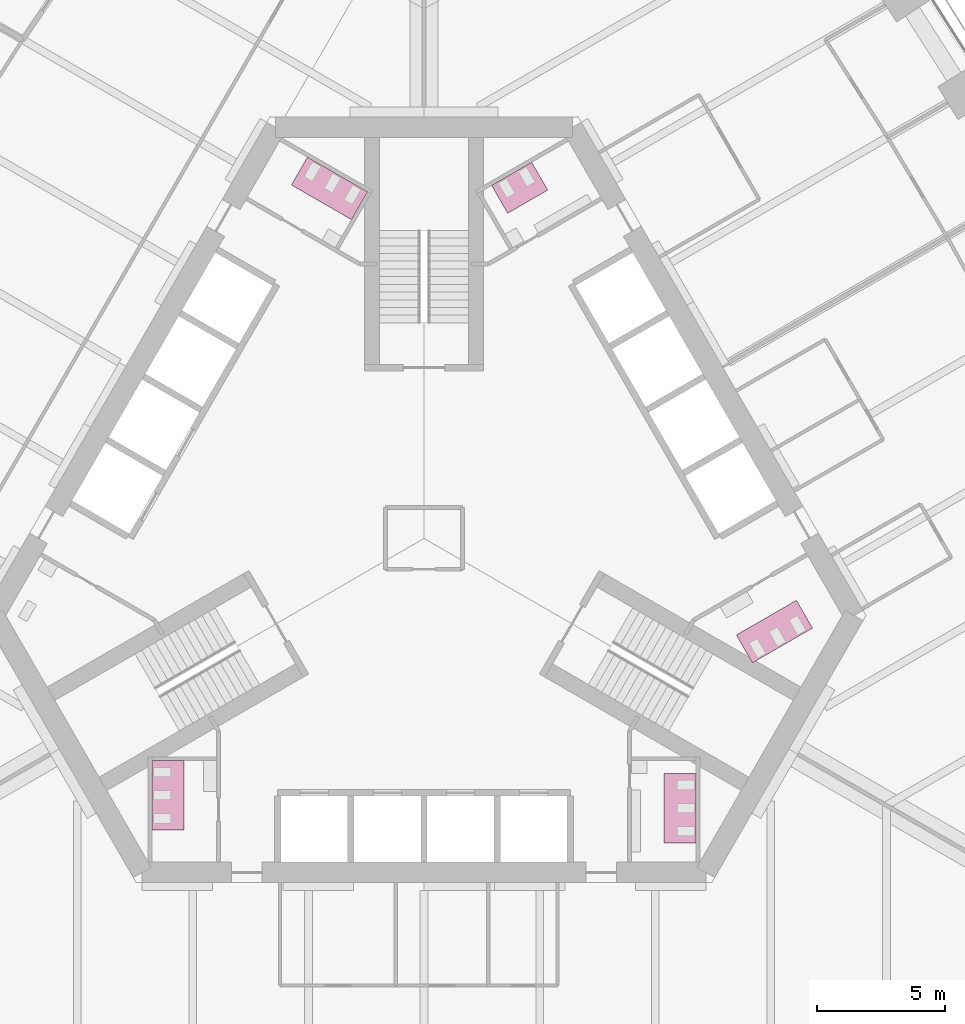
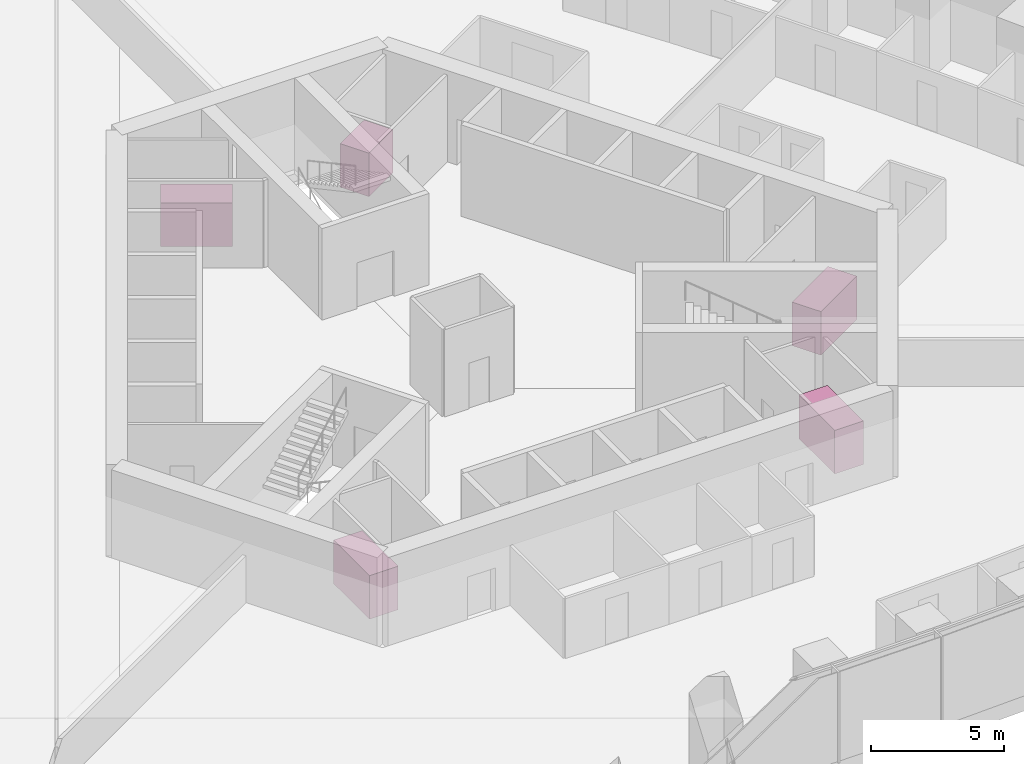
# One storey, part 18 of 18: 5 furniture elements.
"""IFC4 building model written with IfcOpenShell, lengths in metres."""

import ifcopenshell
import ifcopenshell.guid

model = None  # the IFC model being written
_history = None  # IfcOwnerHistory: only IFC2X3 demands one
_inside = {}  # id of a spatial element -> (the spatial element, [elements in it])
_under = {}  # id of a project, library or spatial element -> (it, [spatial elements below it])
_declared = {}  # id of a project -> (the project, [libraries it declares])
_typed = {}  # id of a type object -> (the type object, [elements of that type])
_made_of = {}  # id of a material, layer set ... -> (it, [elements and type objects made of it])


def new_model(schema):
    """Start an empty IFC model of exactly this schema.

    Asked for "IFC4X3", IfcOpenShell would pick the latest addendum, in which some entities
    have other attributes; the version numbers below select the first issue.
    IFC2X3 requires an IfcOwnerHistory on every rooted entity: one is made here for all.
    """
    global model, _history
    if schema == "IFC4X3":
        model = ifcopenshell.file(schema_version=(4, 3, 0, 0))
    else:
        model = ifcopenshell.file(schema=schema)
    _inside.clear()
    _under.clear()
    _declared.clear()
    _typed.clear()
    _made_of.clear()
    _history = None
    if model.schema == "IFC2X3":
        org = make("IfcOrganization", Name="unknown")
        user = make(
            "IfcPersonAndOrganization",
            ThePerson=make("IfcPerson", FamilyName="unknown"),
            TheOrganization=org,
        )
        app = make(
            "IfcApplication",
            ApplicationDeveloper=org,
            Version="unknown",
            ApplicationFullName="unknown",
            ApplicationIdentifier="unknown",
        )
        _history = make(
            "IfcOwnerHistory",
            OwningUser=user,
            OwningApplication=app,
            ChangeAction="ADDED",
            CreationDate=0,
        )
    return model


def make(cls, **values):
    """One entity of the class cls with the attributes given. An attribute that is None is left unset."""
    return model.create_entity(
        cls, **{name: value for name, value in values.items() if value is not None}
    )


def rooted(cls, **values):
    """An entity with a GlobalId (a new one), such as an element, a storey or a relation."""
    return make(cls, GlobalId=ifcopenshell.guid.new(), OwnerHistory=_history, **values)


def si_unit(unit_type, name, prefix=None):
    """IfcSIUnit, for example si_unit("LENGTHUNIT", "METRE", prefix="MILLI")."""
    return make("IfcSIUnit", UnitType=unit_type, Prefix=prefix, Name=name)


def assignment(units):
    """IfcUnitAssignment: the units of a project."""
    return None if units is None else make("IfcUnitAssignment", Units=units)


def point(xyz):
    """IfcCartesianPoint."""
    return None if xyz is None else make("IfcCartesianPoint", Coordinates=xyz)


def direction(xyz):
    """IfcDirection."""
    return None if xyz is None else make("IfcDirection", DirectionRatios=xyz)


def frame(location, z_axis=None, x_axis=None):
    """IfcAxis2Placement3D, a coordinate frame: its origin and axes. An axis left out is left unset."""
    return make(
        "IfcAxis2Placement3D",
        Location=point(location),
        Axis=direction(z_axis),
        RefDirection=direction(x_axis),
    )


def origin():
    """The frame at (0, 0, 0) with its axes left unset."""
    return frame((0.0, 0.0, 0.0))


def place(relative_to, where):
    """IfcLocalPlacement: puts the frame where relative to a parent placement (None: the world)."""
    return make(
        "IfcLocalPlacement", PlacementRelTo=relative_to, RelativePlacement=where
    )


def context(
    kind, dimensions, precision=None, world=None, true_north=None, identifier=None
):
    """IfcGeometricRepresentationContext, for example the 3D "Model" context."""
    return make(
        "IfcGeometricRepresentationContext",
        ContextIdentifier=identifier,
        ContextType=kind,
        CoordinateSpaceDimension=dimensions,
        Precision=precision,
        WorldCoordinateSystem=world,
        TrueNorth=true_north,
    )


def subcontext(parent, identifier, kind, view, scale=None):
    """IfcGeometricRepresentationSubContext, for example "Body" below "Model"."""
    return make(
        "IfcGeometricRepresentationSubContext",
        ContextIdentifier=identifier,
        ContextType=kind,
        ParentContext=parent,
        TargetScale=scale,
        TargetView=view,
    )


def project(units=None, contexts=None):
    """IfcProject with its units and contexts."""
    return rooted(
        "IfcProject",
        Name="project",
        RepresentationContexts=contexts,
        UnitsInContext=assignment(units),
    )


def spatial(cls, under=None, at=None, **own):
    """A site, building, storey or space (cls), placed at a placement, below another one or the project."""
    s = rooted(cls, ObjectPlacement=at, **own)
    if under is not None:
        _under.setdefault(under.id(), (under, []))[1].append(s)
    return s


def polyline(points):
    """IfcPolyline through the points."""
    return make("IfcPolyline", Points=[point(p) for p in points])


def outline(outer, holes=None, kind="AREA"):
    """IfcArbitraryClosedProfileDef: a profile drawn as a closed curve; with holes, ...WithVoids."""
    if holes is None:
        return make("IfcArbitraryClosedProfileDef", ProfileType=kind, OuterCurve=outer)
    return make(
        "IfcArbitraryProfileDefWithVoids",
        ProfileType=kind,
        OuterCurve=outer,
        InnerCurves=holes,
    )


def extrude(swept, where, along, depth):
    """IfcExtrudedAreaSolid: the profile swept, set in the frame where, extruded along a direction by depth."""
    return make(
        "IfcExtrudedAreaSolid",
        SweptArea=swept,
        Position=where,
        ExtrudedDirection=direction(along),
        Depth=depth,
    )


def shape(context_of_items, identifier, shape_type, items):
    """IfcShapeRepresentation: the items that make up one representation, for example the "Body"."""
    return make(
        "IfcShapeRepresentation",
        ContextOfItems=context_of_items,
        RepresentationIdentifier=identifier,
        RepresentationType=shape_type,
        Items=items,
    )


def material(Name=None, Category=None):
    """IfcMaterial."""
    return make("IfcMaterial", Name=Name, Category=Category)


def made_of(thing, what):
    """Note that an element or type object is made of a material, layer set ...; save() writes the relation."""
    if what is not None:
        _made_of.setdefault(what.id(), (what, []))[1].append(thing)
    return thing


def type_object(cls, material=None, **own):
    """A type object (cls), such as IfcWallType, which elements share."""
    return made_of(rooted(cls, **own), material)


def element(
    cls,
    number,
    at=None,
    inside=None,
    cuts=None,
    type_object=None,
    material=None,
    context=None,
    identifier="Body",
    shape_type=None,
    held_by="IfcProductDefinitionShape",
    body=None,
    shapes=None,
    **own,
):
    """One element of the class cls, such as IfcWall. Its Tag is "e" and its number.

    at: its placement. inside: the storey or other place that contains it. cuts: it is an
    opening in that element (IfcRelVoidsElement). A single representation is given by context,
    identifier, shape_type and body (its items); several are given by shapes. held_by: the class
    of the entity that holds the representations. save() writes the other relations.
    """
    e = rooted(cls, Tag="e%d" % number, ObjectPlacement=at, **own)
    if body is not None:
        shapes = [shape(context, identifier, shape_type, body)]
    if shapes is not None:
        e.Representation = make(held_by, Representations=shapes)
    if inside is not None:
        _inside.setdefault(inside.id(), (inside, []))[1].append(e)
    if cuts is not None:
        rooted(
            "IfcRelVoidsElement", RelatingBuildingElement=cuts, RelatedOpeningElement=e
        )
    if type_object is not None:
        _typed.setdefault(type_object.id(), (type_object, []))[1].append(e)
    return made_of(e, material)


def aggregate(whole, parts):
    """IfcRelAggregates: a whole, such as a stair, and the parts it consists of."""
    return rooted("IfcRelAggregates", RelatingObject=whole, RelatedObjects=parts)


def save(model, path):
    """Write the relations noted so far, then the file.

    IfcRelAggregates (storeys below a building ...), IfcRelContainedInSpatialStructure (elements
    in a storey), IfcRelDefinesByType, IfcRelAssociatesMaterial and IfcRelDeclares: one each for
    every whole, place, type object, material and project.
    """
    for whole, parts in _under.values():
        aggregate(whole, parts)
    for where, things in _inside.values():
        rooted(
            "IfcRelContainedInSpatialStructure",
            RelatedElements=things,
            RelatingStructure=where,
        )
    for kind, things in _typed.values():
        rooted("IfcRelDefinesByType", RelatedObjects=things, RelatingType=kind)
    for what, things in _made_of.values():
        rooted("IfcRelAssociatesMaterial", RelatedObjects=things, RelatingMaterial=what)
    for by, libraries in _declared.values():
        rooted("IfcRelDeclares", RelatingContext=by, RelatedDefinitions=libraries)
    model.write(path)


model = new_model("IFC4")

# Units and contexts
model_context = context("Model", 3, precision=1e-05, world=origin(), true_north=direction((0.0, 1.0)))
body_context = subcontext(model_context, "Body", "Model", "MODEL_VIEW")
ifc_project = project(units=[si_unit("LENGTHUNIT", "METRE"), si_unit("AREAUNIT", "SQUARE_METRE"), si_unit("VOLUMEUNIT", "CUBIC_METRE"), si_unit("PLANEANGLEUNIT", "RADIAN"), si_unit("MASSUNIT", "GRAM", prefix="KILO")], contexts=[model_context])

# Site, building, storey
site_placement = place(None, origin())
site = spatial("IfcSite", under=ifc_project, at=site_placement, CompositionType="ELEMENT")
building_placement = place(site_placement, origin())
building = spatial("IfcBuilding", under=site, at=building_placement, Name="Trefoil Bronze Tower", CompositionType="ELEMENT")
storey_placement = place(building_placement, frame((0.0, 0.0, 50.10009765625)))
storey = spatial("IfcBuildingStorey", under=building, at=storey_placement, Name="L11", CompositionType="ELEMENT", Elevation=50.10009765625)

# Furniture
ifc_material_1 = material(Name="Compact laminate cubicles", Category="plastic")
furniture_type_1 = type_object("IfcFurnitureType", Name="WC cubicle range 2 cubicles", AssemblyPlace="FACTORY", PredefinedType="USERDEFINED", material=ifc_material_1)
furniture_1_placement = place(storey_placement, origin())
element("IfcFurniture", 1, at=furniture_1_placement, inside=storey, type_object=furniture_type_1, Name="WC cubicle range WC (men) L11", ObjectType="WC cubicle range", PredefinedType="USERDEFINED", context=body_context, shape_type="SweptSolid", body=[
    extrude(outline(polyline([(3.256591796875, 12.659423828125), (2.631591796875, 13.741943359375), (4.1904296875, 14.641845703125), (4.8154296875, 13.559326171875), (3.256591796875, 12.659423828125)])), origin(), (0.0, 0.0, 1.0), 2.0),
])
ifc_material_2 = material(Name="Compact laminate cubicles", Category="plastic")
furniture_type_2 = type_object("IfcFurnitureType", Name="WC cubicle range 3 cubicles", AssemblyPlace="FACTORY", PredefinedType="USERDEFINED", material=ifc_material_2)
furniture_2_placement = place(storey_placement, origin())
element("IfcFurniture", 2, at=furniture_2_placement, inside=storey, type_object=furniture_type_2, Name="WC cubicle range WC (men) L11", ObjectType="WC cubicle range", PredefinedType="USERDEFINED", context=body_context, shape_type="SweptSolid", body=[
    extrude(outline(polyline([(9.3349609375, -9.14990234375), (10.5849609375, -9.14990234375), (10.5849609375, -11.85009765625), (9.3349609375, -11.85009765625), (9.3349609375, -9.14990234375)])), origin(), (0.0, 0.0, 1.0), 2.0),
])
furniture_3_placement = place(storey_placement, origin())
element("IfcFurniture", 3, at=furniture_3_placement, inside=storey, type_object=furniture_type_2, Name="WC cubicle range WC (women) L11", ObjectType="WC cubicle range", PredefinedType="USERDEFINED", context=body_context, shape_type="SweptSolid", body=[
    extrude(outline(polyline([(12.15869140625, -3.75927734375), (12.78369140625, -4.841796875), (15.121826171875, -3.491943359375), (14.496826171875, -2.409423828125), (12.15869140625, -3.75927734375)])), origin(), (0.0, 0.0, 1.0), 2.0),
])
furniture_4_placement = place(storey_placement, origin())
element("IfcFurniture", 4, at=furniture_4_placement, inside=storey, type_object=furniture_type_2, Name="WC cubicle range WC (women) L11", ObjectType="WC cubicle range", PredefinedType="USERDEFINED", context=body_context, shape_type="SweptSolid", body=[
    extrude(outline(polyline([(-2.82373046875, 12.409423828125), (-2.19873046875, 13.491943359375), (-4.536865234375, 14.841796875), (-5.161865234375, 13.75927734375), (-2.82373046875, 12.409423828125)])), origin(), (0.0, 0.0, 1.0), 2.0),
])
furniture_5_placement = place(storey_placement, origin())
element("IfcFurniture", 5, at=furniture_5_placement, inside=storey, type_object=furniture_type_2, Name="WC cubicle range WC (women) L11", ObjectType="WC cubicle range", PredefinedType="USERDEFINED", context=body_context, shape_type="SweptSolid", body=[
    extrude(outline(polyline([(-9.3349609375, -8.64990234375), (-10.5849609375, -8.64990234375), (-10.5849609375, -11.35009765625), (-9.3349609375, -11.35009765625), (-9.3349609375, -8.64990234375)])), origin(), (0.0, 0.0, 1.0), 2.0),
])

save(model, "model.ifc")
